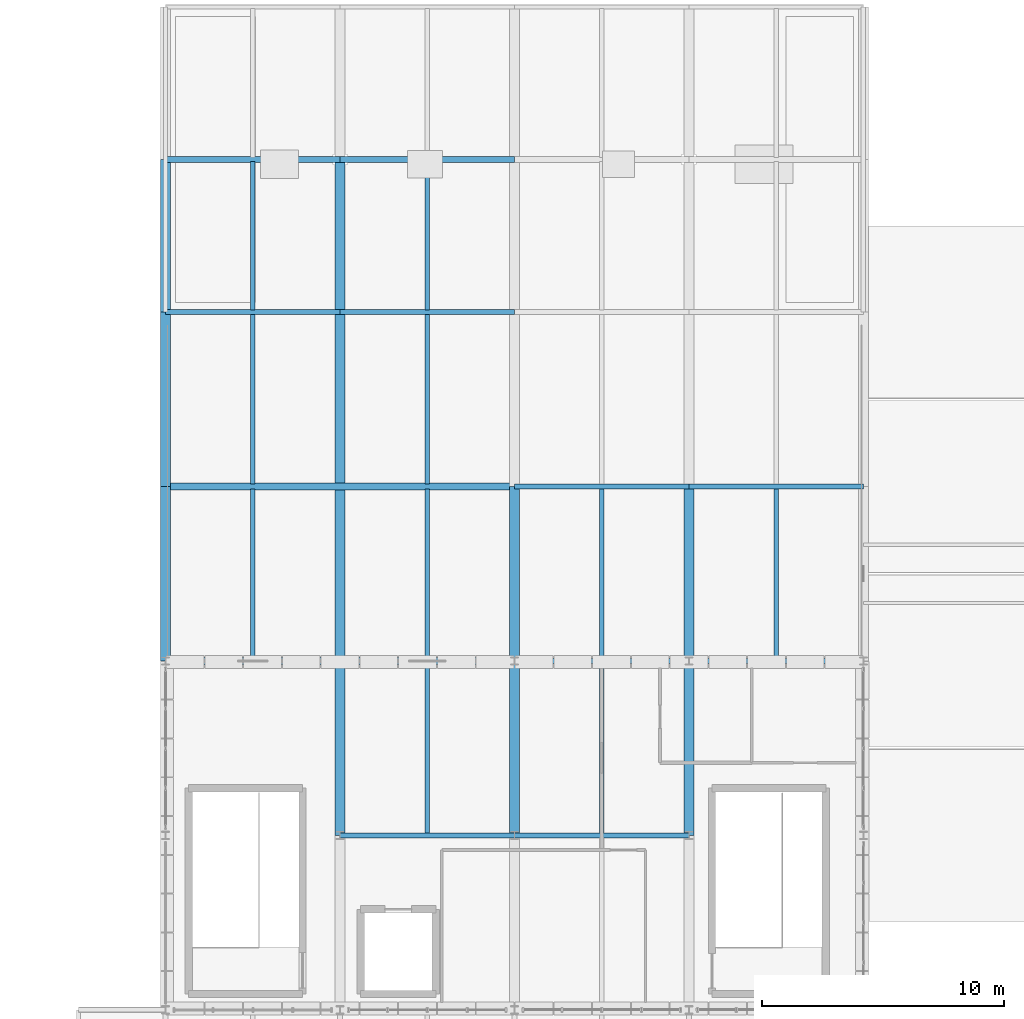
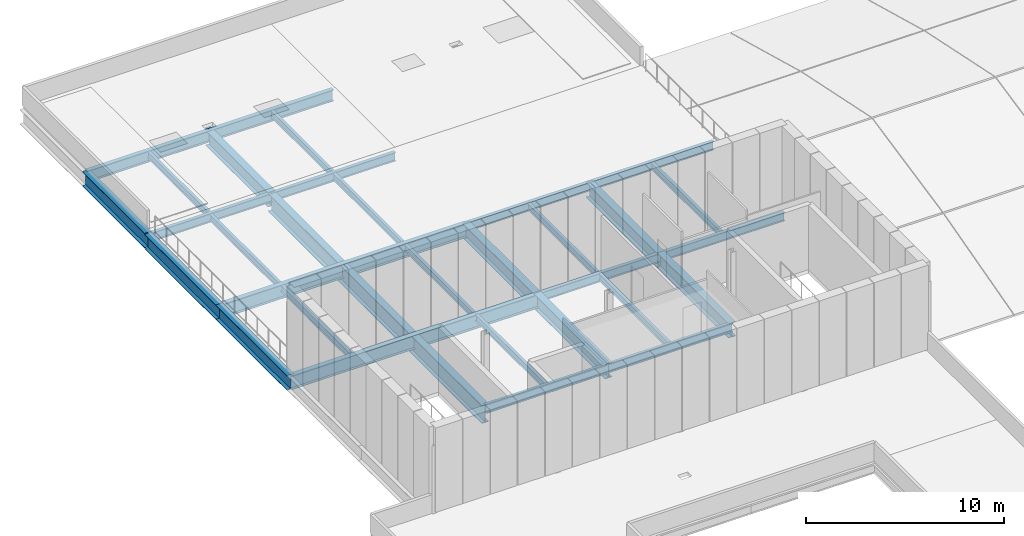
# One storey, part 11 of 47: 31 beams.
"""IFC4 building model written with IfcOpenShell, lengths in metres."""

from ifc_helpers import new_model, si_unit, direction, frame, origin, origin_2d, place, context, subcontext, project, spatial, i_section, extrude, material, material_profile, profile_set, type_object, element, save


model = new_model("IFC4")

# Units and contexts
model_context = context("Model", 3, precision=1e-05, world=origin(), true_north=direction((0.0, 1.0)))
body_context = subcontext(model_context, "Body", "Model", "MODEL_VIEW")
ifc_project = project(units=[si_unit("LENGTHUNIT", "METRE"), si_unit("AREAUNIT", "SQUARE_METRE"), si_unit("VOLUMEUNIT", "CUBIC_METRE"), si_unit("PLANEANGLEUNIT", "RADIAN"), si_unit("MASSUNIT", "GRAM", prefix="KILO")], contexts=[model_context])

# Site, building, storey
site_placement = place(None, origin())
site = spatial("IfcSite", under=ifc_project, at=site_placement, CompositionType="ELEMENT")
building_placement = place(site_placement, origin())
building = spatial("IfcBuilding", under=site, at=building_placement, Name="Yarey Park Central Fire Station", CompositionType="ELEMENT")
storey_placement = place(building_placement, frame((0.0, 0.0, 18.0)))
storey = spatial("IfcBuildingStorey", under=building, at=storey_placement, Name="L05", CompositionType="ELEMENT", Elevation=18.0)

# Beams
ifc_material = material(Name="Steel ASTM A992 Gr. 50", Category="steel")
ifc_material_profile_1 = material_profile(ifc_material, i_section(OverallWidth=0.405029296875, OverallDepth=1.117919921875, WebThickness=0.02587890625, FlangeThickness=0.044921875, at=origin_2d()), Name="W1100x499")
ifc_profile_set_1 = profile_set([ifc_material_profile_1], Name="Steel ASTM A992 Gr. 50")
beam_type_1 = type_object("IfcBeamType", Name="STR_BM_W1100", PredefinedType="BEAM", material=ifc_profile_set_1)
beam_1_placement = place(storey_placement, frame((36.0, 64.800048828125, -0.823974609375), z_axis=(0.0, 1.0, 0.0), x_axis=(-1.0, 0.0, 0.0)))
element("IfcBeam", 1, at=beam_1_placement, inside=storey, type_object=beam_type_1, Name="Transfer Truss TT2 L05 CH2", PredefinedType="BEAM", context=body_context, shape_type="SweptSolid", body=[
    extrude(i_section(OverallWidth=0.405029296875, OverallDepth=1.117919921875, WebThickness=0.02587890625, FlangeThickness=0.044921875, at=origin_2d()), origin(), (0.0, 0.0, 1.0), 21.599853515625),
])
ifc_material_profile_2 = material_profile(ifc_material, i_section(OverallWidth=0.208984375, OverallDepth=0.532958984375, WebThickness=0.01025390625, FlangeThickness=0.015625, at=origin_2d()), Name="W530x92")
ifc_profile_set_2 = profile_set([ifc_material_profile_2], Name="Steel ASTM A992 Gr. 50")
beam_type_2 = type_object("IfcBeamType", Name="STR_BM_W530", PredefinedType="BEAM", material=ifc_profile_set_2)
for number, where, z_axis, x_axis, name in (
    (2, (36.0, 64.800048828125, -0.506591796875), (1.0, 0.0, 0.0), (0.0, 1.0, 0.0), "BMX L05 Y648 X360"),
    (3, (43.199951171875, 64.800048828125, -0.506591796875), (1.0, 0.0, 0.0), (0.0, 1.0, 0.0), "BMX L05 Y648 X432"),
    (4, (43.199951171875, 72.0, -0.531494140625), (1.0, 0.0, 0.0), (0.0, 1.0, 0.0), "BMX L05 Y720 X432"),
):
    element("IfcBeam", number, at=place(storey_placement, frame(where, z_axis=z_axis, x_axis=x_axis)), inside=storey, type_object=beam_type_2, Name=name, PredefinedType="BEAM", context=body_context, shape_type="SweptSolid", body=[
        extrude(i_section(OverallWidth=0.208984375, OverallDepth=0.532958984375, WebThickness=0.01025390625, FlangeThickness=0.015625, at=origin_2d()), origin(), (0.0, 0.0, 1.0), 7.199951171875),
    ])
beam_2_placement = place(storey_placement, frame((50.39990234375, 72.0, -0.531494140625), z_axis=(1.0, 0.0, 0.0), x_axis=(0.0, 1.0, 0.0)))
element("IfcBeam", 5, at=beam_2_placement, inside=storey, type_object=beam_type_2, Name="BMX L05 Y720 X504", PredefinedType="BEAM", context=body_context, shape_type="SweptSolid", body=[
    extrude(i_section(OverallWidth=0.208984375, OverallDepth=0.532958984375, WebThickness=0.01025390625, FlangeThickness=0.015625, at=origin_2d()), origin(), (0.0, 0.0, 1.0), 7.2001953125),
])
beam_3_placement = place(storey_placement, frame((43.199951171875, 79.199951171875, -0.531494140625), z_axis=(1.0, 0.0, 0.0), x_axis=(0.0, 1.0, 0.0)))
element("IfcBeam", 6, at=beam_3_placement, inside=storey, type_object=beam_type_2, Name="BMX L05 Y792 X432", PredefinedType="BEAM", context=body_context, shape_type="SweptSolid", body=[
    extrude(i_section(OverallWidth=0.208984375, OverallDepth=0.532958984375, WebThickness=0.01025390625, FlangeThickness=0.015625, at=origin_2d()), origin(), (0.0, 0.0, 1.0), 7.199951171875),
])
beam_4_placement = place(storey_placement, frame((50.39990234375, 79.199951171875, -0.531494140625), z_axis=(1.0, 0.0, 0.0), x_axis=(0.0, 1.0, 0.0)))
element("IfcBeam", 7, at=beam_4_placement, inside=storey, type_object=beam_type_2, Name="BMX L05 Y792 X504", PredefinedType="BEAM", context=body_context, shape_type="SweptSolid", body=[
    extrude(i_section(OverallWidth=0.208984375, OverallDepth=0.532958984375, WebThickness=0.01025390625, FlangeThickness=0.015625, at=origin_2d()), origin(), (0.0, 0.0, 1.0), 7.2001953125),
])
for number, where, z_axis, x_axis, name in (
    (8, (28.800048828125, 86.39990234375, -0.531494140625), (1.0, 0.0, 0.0), (0.0, 1.0, 0.0), "BMX L05 Y864 X288"),
    (9, (36.0, 86.39990234375, -0.531494140625), (1.0, 0.0, 0.0), (0.0, 1.0, 0.0), "BMX L05 Y864 X360"),
):
    element("IfcBeam", number, at=place(storey_placement, frame(where, z_axis=z_axis, x_axis=x_axis)), inside=storey, type_object=beam_type_2, Name=name, PredefinedType="BEAM", context=body_context, shape_type="SweptSolid", body=[
        extrude(i_section(OverallWidth=0.208984375, OverallDepth=0.532958984375, WebThickness=0.01025390625, FlangeThickness=0.015625, at=origin_2d()), origin(), (0.0, 0.0, 1.0), 7.199951171875),
    ])
ifc_material_profile_3 = material_profile(ifc_material, i_section(OverallWidth=0.256103515625, OverallDepth=0.693115234375, WebThickness=0.014404296875, FlangeThickness=0.023681640625, at=origin_2d()), Name="W690x170")
ifc_profile_set_3 = profile_set([ifc_material_profile_3], Name="Steel ASTM A992 Gr. 50")
beam_type_3 = type_object("IfcBeamType", Name="STR_BM_W690", PredefinedType="BEAM", material=ifc_profile_set_3)
for number, where, z_axis, x_axis, name in (
    (10, (28.800048828125, 92.699951171875, -0.556396484375), (1.0, 0.0, 0.0), (0.0, 1.0, 0.0), "CANT TIE L05 Y927 X28"),
    (11, (36.0, 92.699951171875, -0.556396484375), (1.0, 0.0, 0.0), (0.0, 1.0, 0.0), "CANT TIE L05 Y927 X36"),
):
    element("IfcBeam", number, at=place(storey_placement, frame(where, z_axis=z_axis, x_axis=x_axis)), inside=storey, type_object=beam_type_3, Name=name, PredefinedType="BEAM", context=body_context, shape_type="SweptSolid", body=[
        extrude(i_section(OverallWidth=0.256103515625, OverallDepth=0.693115234375, WebThickness=0.014404296875, FlangeThickness=0.023681640625, at=origin_2d()), origin(), (0.0, 0.0, 1.0), 7.199951171875),
    ])
ifc_material_profile_4 = material_profile(ifc_material, i_section(OverallWidth=0.2939453125, OverallDepth=0.85107421875, WebThickness=0.01611328125, FlangeThickness=0.02685546875, at=origin_2d()), Name="W840x226")
ifc_profile_set_4 = profile_set([ifc_material_profile_4], Name="Steel ASTM A992 Gr. 50")
beam_type_4 = type_object("IfcBeamType", Name="STR_BM_W840", PredefinedType="BEAM", material=ifc_profile_set_4)
for number, where, z_axis, x_axis, name in (
    (12, (28.800048828125, 72.0, -0.6904296875), (1.0, 0.0, 0.0), (0.0, 1.0, 0.0), "BMX L05 Y720 X288"),
    (13, (28.800048828125, 79.199951171875, -0.6904296875), (1.0, 0.0, 0.0), (0.0, 1.0, 0.0), "BMX L05 Y792 X288"),
):
    element("IfcBeam", number, at=place(storey_placement, frame(where, z_axis=z_axis, x_axis=x_axis)), inside=storey, type_object=beam_type_4, Name=name, PredefinedType="BEAM", context=body_context, shape_type="SweptSolid", body=[
        extrude(i_section(OverallWidth=0.2939453125, OverallDepth=0.85107421875, WebThickness=0.01611328125, FlangeThickness=0.02685546875, at=origin_2d()), origin(), (0.0, 0.0, 1.0), 14.39990234375),
    ])
ifc_material_profile_5 = material_profile(ifc_material, i_section(OverallWidth=0.41796875, OverallDepth=0.912109375, WebThickness=0.019287109375, FlangeThickness=0.031982421875, at=origin_2d()), Name="W920x342")
ifc_profile_set_5 = profile_set([ifc_material_profile_5], Name="Steel ASTM A992 Gr. 50")
beam_type_5 = type_object("IfcBeamType", Name="STR_BM_W920", PredefinedType="BEAM", material=ifc_profile_set_5)
beam_5_placement = place(storey_placement, frame((36.0, 86.39990234375, -0.666015625), z_axis=(0.0, 1.0, 0.0), x_axis=(-1.0, 0.0, 0.0)))
element("IfcBeam", 14, at=beam_5_placement, inside=storey, type_object=beam_type_5, Name="Transfer Truss TT2 L05 CH5", PredefinedType="BEAM", context=body_context, shape_type="SweptSolid", body=[
    extrude(i_section(OverallWidth=0.41796875, OverallDepth=0.912109375, WebThickness=0.019287109375, FlangeThickness=0.031982421875, at=origin_2d()), origin(), (0.0, 0.0, 1.0), 6.300048828125),
])
for number, where, z_axis, x_axis, name in (
    (15, (43.199951171875, 64.800048828125, -0.696044921875), (0.0, 1.0, 0.0), (-1.0, 0.0, 0.0), "Transfer Truss TT3 L05 CH2"),
    (16, (43.199951171875, 72.0, -0.720947265625), (0.0, 1.0, 0.0), (-1.0, 0.0, 0.0), "Transfer Truss TT3 L05 CH3"),
    (17, (50.39990234375, 64.800048828125, -0.696044921875), (0.0, 1.0, 0.0), (-1.0, 0.0, 0.0), "Transfer Truss TT4 L05 CH2"),
    (18, (50.39990234375, 72.0, -0.720947265625), (0.0, 1.0, 0.0), (-1.0, 0.0, 0.0), "Transfer Truss TT4 L05 CH3"),
):
    element("IfcBeam", number, at=place(storey_placement, frame(where, z_axis=z_axis, x_axis=x_axis)), inside=storey, type_object=beam_type_5, Name=name, PredefinedType="BEAM", context=body_context, shape_type="SweptSolid", body=[
        extrude(i_section(OverallWidth=0.41796875, OverallDepth=0.912109375, WebThickness=0.019287109375, FlangeThickness=0.031982421875, at=origin_2d()), origin(), (0.0, 0.0, 1.0), 7.199951171875),
    ])
ifc_material_profile_6 = material_profile(ifc_material, i_section(OverallWidth=0.41796875, OverallDepth=0.912109375, WebThickness=0.019287109375, FlangeThickness=0.031982421875, at=origin_2d()), Name="W920x342")
ifc_profile_set_6 = profile_set([ifc_material_profile_6], Name="Steel ASTM A992 Gr. 50")
beam_type_6 = type_object("IfcBeamType", Name="STR_BM_W920E", PredefinedType="BEAM", material=ifc_profile_set_6)
for number, where, z_axis, x_axis, name in (
    (19, (28.800048828125, 72.0, -0.720947265625), (0.0, 1.0, 0.0), (-1.0, 0.0, 0.0), "Transfer Truss TT1 L05 CH3"),
    (20, (28.800048828125, 79.199951171875, -0.720947265625), (0.0, 1.0, 0.0), (-1.0, 0.0, 0.0), "Transfer Truss TT1 L05 CH4"),
):
    element("IfcBeam", number, at=place(storey_placement, frame(where, z_axis=z_axis, x_axis=x_axis)), inside=storey, type_object=beam_type_6, Name=name, PredefinedType="BEAM", context=body_context, shape_type="SweptSolid", body=[
        extrude(i_section(OverallWidth=0.41796875, OverallDepth=0.912109375, WebThickness=0.019287109375, FlangeThickness=0.031982421875, at=origin_2d()), origin(), (0.0, 0.0, 1.0), 7.199951171875),
    ])
beam_6_placement = place(storey_placement, frame((28.800048828125, 86.39990234375, -0.666015625), z_axis=(0.0, 1.0, 0.0), x_axis=(-1.0, 0.0, 0.0)))
element("IfcBeam", 21, at=beam_6_placement, inside=storey, type_object=beam_type_6, Name="Transfer Truss TT1 L05 CH5", PredefinedType="BEAM", context=body_context, shape_type="SweptSolid", body=[
    extrude(i_section(OverallWidth=0.41796875, OverallDepth=0.912109375, WebThickness=0.019287109375, FlangeThickness=0.031982421875, at=origin_2d()), origin(), (0.0, 0.0, 1.0), 6.300048828125),
])
ifc_material_profile_7 = material_profile(ifc_material, i_section(OverallWidth=0.177978515625, OverallDepth=0.406982421875, WebThickness=0.0078125, FlangeThickness=0.0126953125, at=origin_2d()), Name="W410x60")
ifc_profile_set_7 = profile_set([ifc_material_profile_7], Name="Steel ASTM A992 Gr. 50")
beam_type_7 = type_object("IfcBeamType", Name="STR_JST_W410", PredefinedType="JOIST", material=ifc_profile_set_7)
for number, where, z_axis, x_axis, name in (
    (22, (32.39990234375, 86.47998046875, -0.41357421875), (0.0, 1.0, 0.0), (-1.0, 0.0, 0.0), "CANT JST L05 X324 Y864"),
    (23, (39.60009765625, 86.47998046875, -0.41357421875), (0.0, 1.0, 0.0), (-1.0, 0.0, 0.0), "CANT JST L05 X396 Y864"),
):
    element("IfcBeam", number, at=place(storey_placement, frame(where, z_axis=z_axis, x_axis=x_axis)), inside=storey, type_object=beam_type_7, Name=name, PredefinedType="JOIST", context=body_context, shape_type="SweptSolid", body=[
        extrude(i_section(OverallWidth=0.177978515625, OverallDepth=0.406982421875, WebThickness=0.0078125, FlangeThickness=0.0126953125, at=origin_2d()), origin(), (0.0, 0.0, 1.0), 6.14013671875),
    ])
for number, where, z_axis, x_axis, name in (
    (24, (32.39990234375, 72.094970703125, -0.468505859375), (0.0, 1.0, 0.0), (-1.0, 0.0, 0.0), "JST L05 X324 Y720"),
    (25, (32.39990234375, 79.294921875, -0.468505859375), (0.0, 1.0, 0.0), (-1.0, 0.0, 0.0), "JST L05 X324 Y792"),
    (26, (39.60009765625, 64.89501953125, -0.443603515625), (0.0, 1.0, 0.0), (-1.0, 0.0, 0.0), "JST L05 X396 Y648"),
    (27, (39.60009765625, 72.094970703125, -0.468505859375), (0.0, 1.0, 0.0), (-1.0, 0.0, 0.0), "JST L05 X396 Y720"),
    (28, (39.60009765625, 79.294921875, -0.468505859375), (0.0, 1.0, 0.0), (-1.0, 0.0, 0.0), "JST L05 X396 Y792"),
    (29, (46.800048828125, 64.89501953125, -0.443603515625), (0.0, 1.0, 0.0), (-1.0, 0.0, 0.0), "JST L05 X468 Y648"),
    (30, (46.800048828125, 72.094970703125, -0.468505859375), (0.0, 1.0, 0.0), (-1.0, 0.0, 0.0), "JST L05 X468 Y720"),
    (31, (54.0, 72.094970703125, -0.468505859375), (0.0, 1.0, 0.0), (-1.0, 0.0, 0.0), "JST L05 X540 Y720"),
):
    element("IfcBeam", number, at=place(storey_placement, frame(where, z_axis=z_axis, x_axis=x_axis)), inside=storey, type_object=beam_type_7, Name=name, PredefinedType="JOIST", context=body_context, shape_type="SweptSolid", body=[
        extrude(i_section(OverallWidth=0.177978515625, OverallDepth=0.406982421875, WebThickness=0.0078125, FlangeThickness=0.0126953125, at=origin_2d()), origin(), (0.0, 0.0, 1.0), 7.010009765625),
    ])

save(model, "model.ifc")
